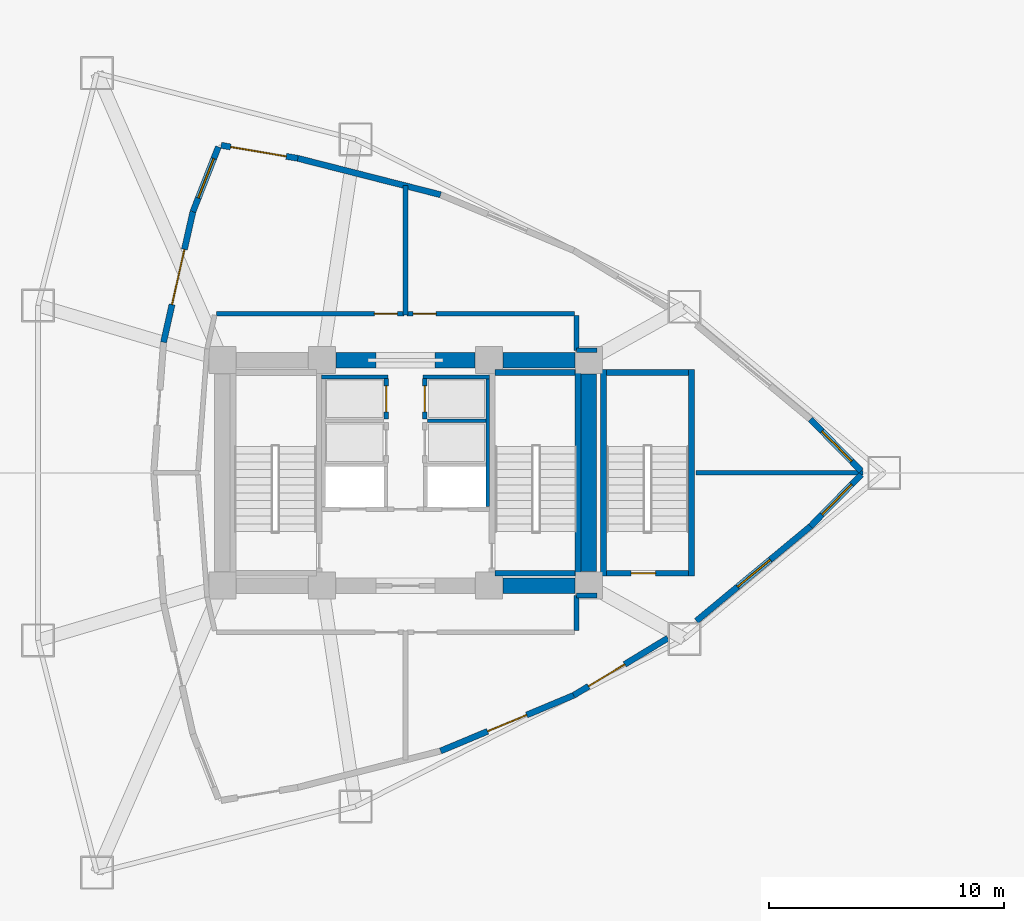
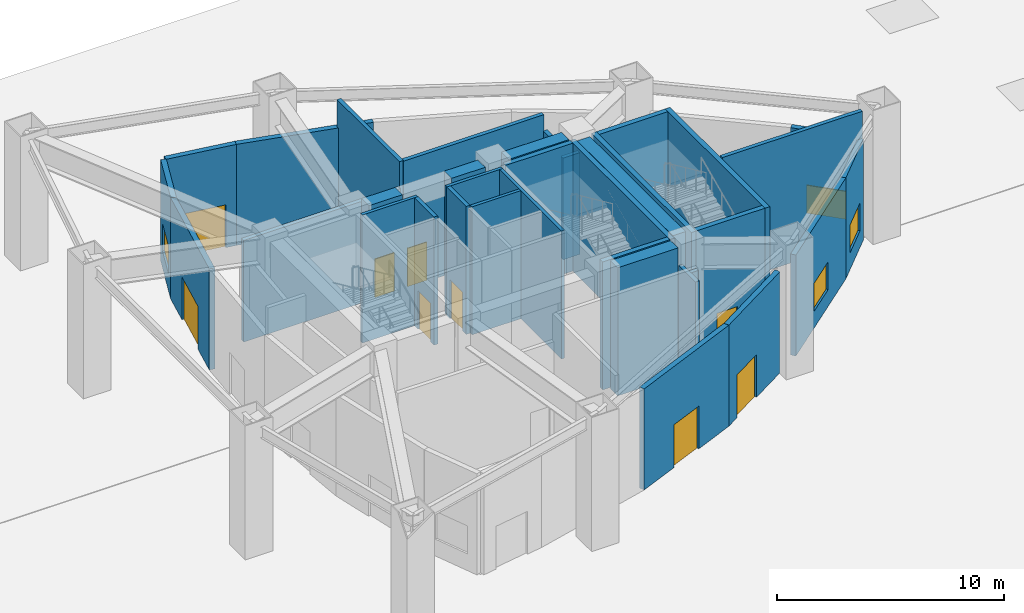
# One storey, part 3 of 7: 35 walls, 9 doors, 4 windows, 13 openings.
"""IFC4 building model written with IfcOpenShell, lengths in metres."""

from ifc_helpers import new_model, si_unit, direction, frame, frame_2d, origin, place, context, subcontext, project, spatial, rectangle, extrude, material, layer, layer_set, type_object, element, fill, save


model = new_model("IFC4")

# Units and contexts
model_context = context("Model", 3, precision=1e-05, world=origin(), true_north=direction((0.0, 1.0)))
body_context = subcontext(model_context, "Body", "Model", "MODEL_VIEW")
ifc_project = project(units=[si_unit("LENGTHUNIT", "METRE"), si_unit("AREAUNIT", "SQUARE_METRE"), si_unit("VOLUMEUNIT", "CUBIC_METRE"), si_unit("PLANEANGLEUNIT", "RADIAN"), si_unit("MASSUNIT", "GRAM", prefix="KILO")], contexts=[model_context])

# Site, building, storey
site_placement = place(None, origin())
site = spatial("IfcSite", under=ifc_project, at=site_placement, CompositionType="ELEMENT")
building_placement = place(site_placement, origin())
building = spatial("IfcBuilding", under=site, at=building_placement, Name="Menara Vayukalpa", CompositionType="ELEMENT")
storey_placement = place(building_placement, origin())
storey = spatial("IfcBuildingStorey", under=building, at=storey_placement, Name="L00", CompositionType="ELEMENT", Elevation=0.0)

# Walls
ifc_material_1 = material(Name="Concrete C80/95", Category="concrete")
ifc_layer_1 = layer(ifc_material_1, 0.64990234375)
ifc_layer_set_1 = layer_set([ifc_layer_1], Name="Concrete C80/95")
wall_type_1 = type_object("IfcWallType", Name="WAL-CW650", PredefinedType="SHEAR", material=ifc_layer_set_1)
wall_1_placement = place(storey_placement, frame((29.7451171875, 17.199951171875, 0.0), z_axis=(0.0, 0.0, 1.0), x_axis=(1.0, 0.0, 0.0)))
element("IfcWall", 1, at=wall_1_placement, inside=storey, type_object=wall_type_1, Name="L00 Buttressed Core Shear Wall CWS4", PredefinedType="SHEAR", context=body_context, shape_type="SweptSolid", body=[
    extrude(rectangle(XDim=3.059814453125, YDim=0.64990234375, at=frame_2d((1.52978515625, 0.0))), origin(), (0.0, 0.0, 1.0), 6.8798828125),
])
wall_2_placement = place(storey_placement, frame((22.64501953125, 26.800048828125, 0.0), z_axis=(0.0, 0.0, 1.0), x_axis=(1.0, 0.0, 0.0)))
element("IfcWall", 2, at=wall_2_placement, inside=storey, type_object=wall_type_1, Name="L00 Buttressed Core Shear Wall CWN2", PredefinedType="SHEAR", context=body_context, shape_type="SweptSolid", body=[
    extrude(rectangle(XDim=1.705078125, YDim=0.64990234375, at=frame_2d((0.8525390625, 0.0))), origin(), (0.0, 0.0, 1.0), 6.8798828125),
])
wall_3_placement = place(storey_placement, frame((26.85009765625, 26.800048828125, 0.0), z_axis=(0.0, 0.0, 1.0), x_axis=(1.0, 0.0, 0.0)))
element("IfcWall", 3, at=wall_3_placement, inside=storey, type_object=wall_type_1, Name="L00 Buttressed Core Shear Wall CWN3", PredefinedType="SHEAR", context=body_context, shape_type="SweptSolid", body=[
    extrude(rectangle(XDim=1.704833984375, YDim=0.64990234375, at=frame_2d((0.8525390625, 0.0))), origin(), (0.0, 0.0, 1.0), 6.8798828125),
])
wall_4_placement = place(storey_placement, frame((29.7451171875, 26.800048828125, 0.0), z_axis=(0.0, 0.0, 1.0), x_axis=(1.0, 0.0, 0.0)))
element("IfcWall", 4, at=wall_4_placement, inside=storey, type_object=wall_type_1, Name="L00 Buttressed Core Shear Wall CWN4", PredefinedType="SHEAR", context=body_context, shape_type="SweptSolid", body=[
    extrude(rectangle(XDim=3.059814453125, YDim=0.64990234375, at=frame_2d((1.52978515625, 0.0))), origin(), (0.0, 0.0, 1.0), 6.8798828125),
])
wall_5_placement = place(storey_placement, frame((33.39990234375, 17.794921875, 0.0), z_axis=(0.0, 0.0, 1.0), x_axis=(0.0, 1.0, 0.0)))
element("IfcWall", 5, at=wall_5_placement, inside=storey, type_object=wall_type_1, Name="L00 Buttressed Core Shear Wall CWE1", PredefinedType="SHEAR", context=body_context, shape_type="SweptSolid", body=[
    extrude(rectangle(XDim=8.41015625, YDim=0.64990234375, at=frame_2d((4.205078125, 0.0))), origin(), (0.0, 0.0, 1.0), 6.8798828125),
])

# Wall, opening, door
ifc_material_2 = material(Name="Insulated Precast Concrete C40/50", Category="concrete")
ifc_layer_2 = layer(ifc_material_2, 0.260009765625)
ifc_layer_set_2 = layer_set([ifc_layer_2], Name="Insulated Precast Concrete C40/50")
wall_type_2 = type_object("IfcWallType", Name="WAL-EXT260", PredefinedType="PARTITIONING", material=ifc_layer_set_2)
wall_6_placement = place(storey_placement, frame((36.76708984375, 14.964599609375, 0.0), z_axis=(0.0, 0.0, 1.0), x_axis=(-0.854658781081, -0.519190107688, 0.0)))
wall_6 = element("IfcWall", 6, at=wall_6_placement, inside=storey, type_object=wall_type_2, Name="L00 Concourse Storefront Wall 01", PredefinedType="PARTITIONING", context=body_context, shape_type="SweptSolid", body=[
    extrude(rectangle(XDim=4.688232421875, YDim=0.260009765625, at=frame_2d((2.34423828125, 0.0))), origin(), (0.0, 0.0, 1.0), 5.429931640625),
])
opening_1_placement = place(wall_6_placement, frame((2.14990234375, 0.0, 0.0)))
opening_1 = element("IfcOpeningElement", 7, at=opening_1_placement, cuts=wall_6, Name="Opening ED1", PredefinedType="OPENING", context=body_context, shape_type="SweptSolid", body=[
    extrude(rectangle(XDim=1.800048828125, YDim=2.300048828125, at=frame_2d((0.89990234375, 1.14990234375))), frame((0.0, 0.139892578125, 0.0), z_axis=(0.0, -1.0, 0.0), x_axis=(1.0, 0.0, 0.0)), (0.0, 0.0, 1.0), 0.280029296875),
])
ifc_material_3 = material(Name="Stainless Steel 316 Glazed Entrance Door", Category="steel")
door_type_1 = type_object("IfcDoorType", Name="DR-EX180", OperationType="NOTDEFINED", PredefinedType="DOOR", material=ifc_material_3)
door_1_placement = place(opening_1_placement, origin())
door_1 = element("IfcDoor", 8, at=door_1_placement, inside=storey, type_object=door_type_1, Name="Ground Final Exit Door ED-01", OperationType="DOUBLE_DOOR_SINGLE_SWING", OverallHeight=2.300048828125, OverallWidth=1.800048828125, PredefinedType="DOOR", context=body_context, shape_type="SweptSolid", body=[
    extrude(rectangle(XDim=1.800048828125, YDim=2.300048828125, at=frame_2d((0.89990234375, 1.14990234375))), frame((0.0, 0.02490234375, 0.0), z_axis=(0.0, -1.0, 0.0), x_axis=(1.0, 0.0, 0.0)), (0.0, 0.0, 1.0), 0.050048828125),
])
fill(opening_1, door_1)

wall_7_placement = place(storey_placement, frame((32.76025390625, 12.530517578125, 0.0), z_axis=(0.0, 0.0, 1.0), x_axis=(-0.922544641811, -0.385890378042, 0.0)))
wall_7 = element("IfcWall", 9, at=wall_7_placement, inside=storey, type_object=wall_type_2, Name="L00 Concourse Storefront Wall 02", PredefinedType="PARTITIONING", context=body_context, shape_type="SweptSolid", body=[
    extrude(rectangle(XDim=6.143798828125, YDim=0.260009765625, at=frame_2d((3.07177734375, 0.0))), origin(), (0.0, 0.0, 1.0), 5.429931640625),
])
opening_2_placement = place(wall_7_placement, frame((2.171875, 0.0, 0.0)))
opening_2 = element("IfcOpeningElement", 10, at=opening_2_placement, cuts=wall_7, Name="Opening ED1", PredefinedType="OPENING", context=body_context, shape_type="SweptSolid", body=[
    extrude(rectangle(XDim=1.800048828125, YDim=2.300048828125, at=frame_2d((0.89990234375, 1.14990234375))), frame((0.0, 0.139892578125, 0.0), z_axis=(0.0, -1.0, 0.0), x_axis=(1.0, 0.0, 0.0)), (0.0, 0.0, 1.0), 0.280029296875),
])
door_2_placement = place(opening_2_placement, origin())
door_2 = element("IfcDoor", 11, at=door_2_placement, inside=storey, type_object=door_type_1, Name="Ground Final Exit Door ED-02", OperationType="DOUBLE_DOOR_SINGLE_SWING", OverallHeight=2.300048828125, OverallWidth=1.800048828125, PredefinedType="DOOR", context=body_context, shape_type="SweptSolid", body=[
    extrude(rectangle(XDim=1.800048828125, YDim=2.300048828125, at=frame_2d((0.89990234375, 1.14990234375))), frame((0.0, 0.02490234375, 0.0), z_axis=(0.0, -1.0, 0.0), x_axis=(1.0, 0.0, 0.0)), (0.0, 0.0, 1.0), 0.050048828125),
])
fill(opening_2, door_2)

wall_8_placement = place(storey_placement, frame((15.296630859375, 27.560546875, 0.0), z_axis=(0.0, 0.0, 1.0), x_axis=(0.219487732338, 0.975615259902, 0.0)))
wall_8 = element("IfcWall", 12, at=wall_8_placement, inside=storey, type_object=wall_type_2, Name="L00 Concourse Storefront Wall 09", PredefinedType="PARTITIONING", context=body_context, shape_type="SweptSolid", body=[
    extrude(rectangle(XDim=5.699462890625, YDim=0.260009765625, at=frame_2d((2.849609375, 0.0))), origin(), (0.0, 0.0, 1.0), 5.429931640625),
])
opening_3_placement = place(wall_8_placement, frame((1.64990234375, 0.0, 0.0)))
opening_3 = element("IfcOpeningElement", 13, at=opening_3_placement, cuts=wall_8, Name="Opening GT1", PredefinedType="OPENING", context=body_context, shape_type="SweptSolid", body=[
    extrude(rectangle(XDim=2.39990234375, YDim=2.300048828125, at=frame_2d((1.199951171875, 1.14990234375))), frame((0.0, 0.139892578125, 0.0), z_axis=(0.0, -1.0, 0.0), x_axis=(1.0, 0.0, 0.0)), (0.0, 0.0, 1.0), 0.280029296875),
])
ifc_material_4 = material(Name="Galvanised Steel Service Access Gate", Category="steel")
door_type_2 = type_object("IfcDoorType", Name="DR-GT240", OperationType="NOTDEFINED", PredefinedType="GATE", material=ifc_material_4)
door_3_placement = place(opening_3_placement, origin())
door_3 = element("IfcDoor", 14, at=door_3_placement, inside=storey, type_object=door_type_2, Name="Plant Service Access Gate GT-01", OperationType="DOUBLE_DOOR_SINGLE_SWING", OverallHeight=2.300048828125, OverallWidth=2.39990234375, PredefinedType="GATE", context=body_context, shape_type="SweptSolid", body=[
    extrude(rectangle(XDim=2.39990234375, YDim=2.300048828125, at=frame_2d((1.199951171875, 1.14990234375))), frame((0.0, 0.02490234375, 0.0), z_axis=(0.0, -1.0, 0.0), x_axis=(1.0, 0.0, 0.0)), (0.0, 0.0, 1.0), 0.050048828125),
])
fill(opening_3, door_3)

# Wall, opening, window
wall_9_placement = place(storey_placement, frame((16.547607421875, 33.12109375, 0.0), z_axis=(0.0, 0.0, 1.0), x_axis=(0.36552999723, 0.930799560123, 0.0)))
wall_9 = element("IfcWall", 15, at=wall_9_placement, inside=storey, type_object=wall_type_2, Name="L00 Concourse Storefront Wall 10", PredefinedType="PARTITIONING", context=body_context, shape_type="SweptSolid", body=[
    extrude(rectangle(XDim=2.962890625, YDim=0.260009765625, at=frame_2d((1.4814453125, 0.0))), origin(), (0.0, 0.0, 1.0), 5.429931640625),
])
opening_4_placement = place(wall_9_placement, frame((0.625, 0.0, 0.89990234375)))
opening_4 = element("IfcOpeningElement", 16, at=opening_4_placement, cuts=wall_9, Name="Opening WN1", PredefinedType="OPENING", context=body_context, shape_type="SweptSolid", body=[
    extrude(rectangle(XDim=1.800048828125, YDim=1.5, at=frame_2d((0.89990234375, 0.75))), frame((0.0, 0.139892578125, 0.0), z_axis=(0.0, -1.0, 0.0), x_axis=(1.0, 0.0, 0.0)), (0.0, 0.0, 1.0), 0.280029296875),
])
ifc_material_5 = material(Name="Thermally Broken Aluminium and Low-E Glass", Category="aluminium")
window_type = type_object("IfcWindowType", Name="WIN-W180", PartitioningType="SINGLE_PANEL", PredefinedType="WINDOW", material=ifc_material_5)
window_1_placement = place(opening_4_placement, origin())
window_1 = element("IfcWindow", 17, at=window_1_placement, inside=storey, type_object=window_type, Name="L00 Concourse Vision Window WN-02", OverallHeight=1.5, OverallWidth=1.800048828125, PartitioningType="SINGLE_PANEL", PredefinedType="WINDOW", context=body_context, shape_type="SweptSolid", body=[
    extrude(rectangle(XDim=1.800048828125, YDim=1.5, at=frame_2d((0.89990234375, 0.75))), frame((0.0, 0.030029296875, 0.0), z_axis=(0.0, -1.0, 0.0), x_axis=(1.0, 0.0, 0.0)), (0.0, 0.0, 1.0), 0.06005859375),
])
fill(opening_4, window_1)

# Wall, opening, door
wall_10_placement = place(storey_placement, frame((17.748779296875, 35.945556640625, 0.0), z_axis=(0.0, 0.0, 1.0), x_axis=(0.985893222855, -0.167375485445, 0.0)))
wall_10 = element("IfcWall", 18, at=wall_10_placement, inside=storey, type_object=wall_type_2, Name="L00 Concourse Storefront Wall 11", PredefinedType="PARTITIONING", context=body_context, shape_type="SweptSolid", body=[
    extrude(rectangle(XDim=3.31103515625, YDim=0.260009765625, at=frame_2d((1.655517578125, 0.0))), origin(), (0.0, 0.0, 1.0), 5.429931640625),
])
opening_5_placement = place(wall_10_placement, frame((0.408935546875, 0.0, 0.0)))
opening_5 = element("IfcOpeningElement", 19, at=opening_5_placement, cuts=wall_10, Name="Opening GT1", PredefinedType="OPENING", context=body_context, shape_type="SweptSolid", body=[
    extrude(rectangle(XDim=2.39990234375, YDim=2.300048828125, at=frame_2d((1.199951171875, 1.14990234375))), frame((0.0, 0.139892578125, 0.0), z_axis=(0.0, -1.0, 0.0), x_axis=(1.0, 0.0, 0.0)), (0.0, 0.0, 1.0), 0.280029296875),
])
door_4_placement = place(opening_5_placement, origin())
door_4 = element("IfcDoor", 20, at=door_4_placement, inside=storey, type_object=door_type_2, Name="Plant Service Access Gate GT-02", OperationType="DOUBLE_DOOR_SINGLE_SWING", OverallHeight=2.300048828125, OverallWidth=2.39990234375, PredefinedType="GATE", context=body_context, shape_type="SweptSolid", body=[
    extrude(rectangle(XDim=2.39990234375, YDim=2.300048828125, at=frame_2d((1.199951171875, 1.14990234375))), frame((0.0, 0.02490234375, 0.0), z_axis=(0.0, -1.0, 0.0), x_axis=(1.0, 0.0, 0.0)), (0.0, 0.0, 1.0), 0.050048828125),
])
fill(opening_5, door_4)

# Wall
wall_11_placement = place(storey_placement, frame((21.001708984375, 35.393798828125, 0.0), z_axis=(0.0, 0.0, 1.0), x_axis=(0.968977702302, -0.247148158887, 0.0)))
element("IfcWall", 21, at=wall_11_placement, inside=storey, type_object=wall_type_2, Name="L00 Concourse Storefront Wall 12", PredefinedType="PARTITIONING", context=body_context, shape_type="SweptSolid", body=[
    extrude(rectangle(XDim=6.28564453125, YDim=0.260009765625, at=frame_2d((3.142822265625, 0.0))), origin(), (0.0, 0.0, 1.0), 5.429931640625),
])

# Wall, opening, window
wall_12_placement = place(storey_placement, frame((42.8408203125, 24.275390625, 0.0), z_axis=(0.0, 0.0, 1.0), x_axis=(0.700581279712, -0.713572610543, 0.0)))
wall_12 = element("IfcWall", 22, at=wall_12_placement, inside=storey, type_object=wall_type_2, Name="L00 Concourse Storefront Wall 16", PredefinedType="PARTITIONING", context=body_context, shape_type="SweptSolid", body=[
    extrude(rectangle(XDim=3.08203125, YDim=0.260009765625, at=frame_2d((1.541015625, 0.0))), origin(), (0.0, 0.0, 1.0), 5.429931640625),
])
opening_6_placement = place(wall_12_placement, frame((0.697509765625, 0.0, 0.89990234375)))
opening_6 = element("IfcOpeningElement", 23, at=opening_6_placement, cuts=wall_12, Name="Opening WN1", PredefinedType="OPENING", context=body_context, shape_type="SweptSolid", body=[
    extrude(rectangle(XDim=1.800048828125, YDim=1.5, at=frame_2d((0.89990234375, 0.75))), frame((0.0, 0.139892578125, 0.0), z_axis=(0.0, -1.0, 0.0), x_axis=(1.0, 0.0, 0.0)), (0.0, 0.0, 1.0), 0.280029296875),
])
window_2_placement = place(opening_6_placement, origin())
window_2 = element("IfcWindow", 24, at=window_2_placement, inside=storey, type_object=window_type, Name="L00 Concourse Vision Window WN-06", OverallHeight=1.5, OverallWidth=1.800048828125, PartitioningType="SINGLE_PANEL", PredefinedType="WINDOW", context=body_context, shape_type="SweptSolid", body=[
    extrude(rectangle(XDim=1.800048828125, YDim=1.5, at=frame_2d((0.89990234375, 0.75))), frame((0.0, 0.030029296875, 0.0), z_axis=(0.0, -1.0, 0.0), x_axis=(1.0, 0.0, 0.0)), (0.0, 0.0, 1.0), 0.06005859375),
])
fill(opening_6, window_2)

wall_13_placement = place(storey_placement, frame((45.0, 21.923828125, 0.0), z_axis=(0.0, 0.0, 1.0), x_axis=(-0.700581279712, -0.713572610543, 0.0)))
wall_13 = element("IfcWall", 25, at=wall_13_placement, inside=storey, type_object=wall_type_2, Name="L00 Concourse Storefront Wall 17", PredefinedType="PARTITIONING", context=body_context, shape_type="SweptSolid", body=[
    extrude(rectangle(XDim=3.08203125, YDim=0.260009765625, at=frame_2d((1.541015625, 0.0))), origin(), (0.0, 0.0, 1.0), 5.429931640625),
])
opening_7_placement = place(wall_13_placement, frame((0.584716796875, 0.0, 0.89990234375)))
opening_7 = element("IfcOpeningElement", 26, at=opening_7_placement, cuts=wall_13, Name="Opening WN1", PredefinedType="OPENING", context=body_context, shape_type="SweptSolid", body=[
    extrude(rectangle(XDim=1.800048828125, YDim=1.5, at=frame_2d((0.89990234375, 0.75))), frame((0.0, 0.139892578125, 0.0), z_axis=(0.0, -1.0, 0.0), x_axis=(1.0, 0.0, 0.0)), (0.0, 0.0, 1.0), 0.280029296875),
])
window_3_placement = place(opening_7_placement, origin())
window_3 = element("IfcWindow", 27, at=window_3_placement, inside=storey, type_object=window_type, Name="L00 Concourse Vision Window WN-07", OverallHeight=1.5, OverallWidth=1.800048828125, PartitioningType="SINGLE_PANEL", PredefinedType="WINDOW", context=body_context, shape_type="SweptSolid", body=[
    extrude(rectangle(XDim=1.800048828125, YDim=1.5, at=frame_2d((0.89990234375, 0.75))), frame((0.0, 0.030029296875, 0.0), z_axis=(0.0, -1.0, 0.0), x_axis=(1.0, 0.0, 0.0)), (0.0, 0.0, 1.0), 0.06005859375),
])
fill(opening_7, window_3)

wall_14_placement = place(storey_placement, frame((42.849609375, 19.732666015625, 0.0), z_axis=(0.0, 0.0, 1.0), x_axis=(-0.769753796379, -0.638340890873, 0.0)))
wall_14 = element("IfcWall", 28, at=wall_14_placement, inside=storey, type_object=wall_type_2, Name="L00 Concourse Storefront Wall 18", PredefinedType="PARTITIONING", context=body_context, shape_type="SweptSolid", body=[
    extrude(rectangle(XDim=6.323974609375, YDim=0.260009765625, at=frame_2d((3.162109375, 0.0))), origin(), (0.0, 0.0, 1.0), 5.429931640625),
])
opening_8_placement = place(wall_14_placement, frame((2.245849609375, 0.0, 0.89990234375)))
opening_8 = element("IfcOpeningElement", 29, at=opening_8_placement, cuts=wall_14, Name="Opening WN1", PredefinedType="OPENING", context=body_context, shape_type="SweptSolid", body=[
    extrude(rectangle(XDim=1.800048828125, YDim=1.5, at=frame_2d((0.89990234375, 0.75))), frame((0.0, 0.139892578125, 0.0), z_axis=(0.0, -1.0, 0.0), x_axis=(1.0, 0.0, 0.0)), (0.0, 0.0, 1.0), 0.280029296875),
])
window_4_placement = place(opening_8_placement, origin())
window_4 = element("IfcWindow", 30, at=window_4_placement, inside=storey, type_object=window_type, Name="L00 Concourse Vision Window WN-08", OverallHeight=1.5, OverallWidth=1.800048828125, PartitioningType="SINGLE_PANEL", PredefinedType="WINDOW", context=body_context, shape_type="SweptSolid", body=[
    extrude(rectangle(XDim=1.800048828125, YDim=1.5, at=frame_2d((0.89990234375, 0.75))), frame((0.0, 0.030029296875, 0.0), z_axis=(0.0, -1.0, 0.0), x_axis=(1.0, 0.0, 0.0)), (0.0, 0.0, 1.0), 0.06005859375),
])
fill(opening_8, window_4)

# Walls
ifc_material_6 = material(Name="Lightweight Concrete Blockwork C16/20", Category="masonry")
ifc_layer_3 = layer(ifc_material_6, 0.159912109375)
ifc_layer_set_3 = layer_set([ifc_layer_3], Name="Lightweight Concrete Blockwork C16/20")
wall_type_3 = type_object("IfcWallType", Name="WAL-FR150", PredefinedType="PARTITIONING", material=ifc_layer_set_3)
wall_15_placement = place(storey_placement, frame((22.030029296875, 26.0849609375, 0.0), z_axis=(0.0, 0.0, 1.0), x_axis=(1.0, 0.0, 0.0)))
element("IfcWall", 31, at=wall_15_placement, inside=storey, type_object=wall_type_3, Name="L00 Interior Partition IW-L00-SHM-W3N", PredefinedType="PARTITIONING", context=body_context, shape_type="SweptSolid", body=[
    extrude(rectangle(XDim=2.830078125, YDim=0.159912109375, at=frame_2d((1.4150390625, 0.0))), origin(), (0.0, 0.0, 1.0), 6.8798828125),
])
wall_16_placement = place(storey_placement, frame((29.094970703125, 20.56005859375, 0.0), z_axis=(0.0, 0.0, 1.0), x_axis=(0.0, 1.0, 0.0)))
element("IfcWall", 32, at=wall_16_placement, inside=storey, type_object=wall_type_3, Name="L00 Interior Partition IW-L00-SHW-EE", PredefinedType="PARTITIONING", context=body_context, shape_type="SweptSolid", body=[
    extrude(rectangle(XDim=5.449951171875, YDim=0.159912109375, at=frame_2d((2.72509765625, 0.0))), origin(), (0.0, 0.0, 1.0), 6.8798828125),
])
wall_17_placement = place(storey_placement, frame((26.530029296875, 24.215087890625, 0.0), z_axis=(0.0, 0.0, 1.0), x_axis=(1.0, 0.0, 0.0)))
element("IfcWall", 33, at=wall_17_placement, inside=storey, type_object=wall_type_3, Name="L00 Interior Partition IW-L00-SHM-E32", PredefinedType="PARTITIONING", context=body_context, shape_type="SweptSolid", body=[
    extrude(rectangle(XDim=2.489990234375, YDim=0.159912109375, at=frame_2d((1.2451171875, 0.0))), origin(), (0.0, 0.0, 1.0), 6.8798828125),
])
wall_18_placement = place(storey_placement, frame((26.340087890625, 26.0849609375, 0.0), z_axis=(0.0, 0.0, 1.0), x_axis=(1.0, 0.0, 0.0)))
element("IfcWall", 34, at=wall_18_placement, inside=storey, type_object=wall_type_3, Name="L00 Interior Partition IW-L00-SHM-E2N", PredefinedType="PARTITIONING", context=body_context, shape_type="SweptSolid", body=[
    extrude(rectangle(XDim=2.829833984375, YDim=0.159912109375, at=frame_2d((1.4150390625, 0.0))), origin(), (0.0, 0.0, 1.0), 6.8798828125),
])

# Wall, opening, door
ifc_material_7 = material(Name="Lightweight Concrete Blockwork C16/20", Category="masonry")
ifc_layer_4 = layer(ifc_material_7, 0.199951171875)
ifc_layer_set_4 = layer_set([ifc_layer_4], Name="Lightweight Concrete Blockwork C16/20")
wall_type_4 = type_object("IfcWallType", Name="WAL-FR200", PredefinedType="PARTITIONING", material=ifc_layer_set_4)
wall_19_placement = place(storey_placement, frame((24.780029296875, 24.2900390625, 0.0), z_axis=(0.0, 0.0, 1.0), x_axis=(0.0, 1.0, 0.0)))
wall_19 = element("IfcWall", 35, at=wall_19_placement, inside=storey, type_object=wall_type_4, Name="L00 Interior Partition IW-L00-SH-W3", PredefinedType="PARTITIONING", context=body_context, shape_type="SweptSolid", body=[
    extrude(rectangle(XDim=1.719970703125, YDim=0.199951171875, at=frame_2d((0.85986328125, 0.0))), origin(), (0.0, 0.0, 1.0), 6.8798828125),
])
opening_9_placement = place(wall_19_placement, frame((0.31005859375, 0.0, 0.0)))
opening_9 = element("IfcOpeningElement", 36, at=opening_9_placement, cuts=wall_19, Name="Opening LD1", PredefinedType="OPENING", context=body_context, shape_type="SweptSolid", body=[
    extrude(rectangle(XDim=1.10009765625, YDim=2.080078125, at=frame_2d((0.550048828125, 1.0400390625))), frame((0.0, 0.10986328125, 0.0), z_axis=(0.0, -1.0, 0.0), x_axis=(1.0, 0.0, 0.0)), (0.0, 0.0, 1.0), 0.219970703125),
])
ifc_material_8 = material(Name="Brushed Stainless Steel 316 Lift Door", Category="steel")
door_type_3 = type_object("IfcDoorType", Name="DR-LD110", OperationType="NOTDEFINED", PredefinedType="DOOR", material=ifc_material_8)
door_5_placement = place(opening_9_placement, origin())
door_5 = element("IfcDoor", 37, at=door_5_placement, inside=storey, type_object=door_type_3, Name="L00 Interior Door DR-L00-LD-W3", OperationType="DOUBLE_DOOR_SLIDING", OverallHeight=2.080078125, OverallWidth=1.10009765625, PredefinedType="DOOR", context=body_context, shape_type="SweptSolid", body=[
    extrude(rectangle(XDim=1.10009765625, YDim=2.080078125, at=frame_2d((0.550048828125, 1.0400390625))), frame((0.0, 0.02490234375, 0.0), z_axis=(0.0, -1.0, 0.0), x_axis=(1.0, 0.0, 0.0)), (0.0, 0.0, 1.0), 0.050048828125),
])
fill(opening_9, door_5)

wall_20_placement = place(storey_placement, frame((26.419921875, 24.2900390625, 0.0), z_axis=(0.0, 0.0, 1.0), x_axis=(0.0, 1.0, 0.0)))
wall_20 = element("IfcWall", 38, at=wall_20_placement, inside=storey, type_object=wall_type_4, Name="L00 Interior Partition IW-L00-SH-E2", PredefinedType="PARTITIONING", context=body_context, shape_type="SweptSolid", body=[
    extrude(rectangle(XDim=1.719970703125, YDim=0.199951171875, at=frame_2d((0.85986328125, 0.0))), origin(), (0.0, 0.0, 1.0), 6.8798828125),
])
opening_10_placement = place(wall_20_placement, frame((0.31005859375, 0.0, 0.0)))
opening_10 = element("IfcOpeningElement", 39, at=opening_10_placement, cuts=wall_20, Name="Opening LD1", PredefinedType="OPENING", context=body_context, shape_type="SweptSolid", body=[
    extrude(rectangle(XDim=1.10009765625, YDim=2.080078125, at=frame_2d((0.550048828125, 1.0400390625))), frame((0.0, 0.10986328125, 0.0), z_axis=(0.0, -1.0, 0.0), x_axis=(1.0, 0.0, 0.0)), (0.0, 0.0, 1.0), 0.219970703125),
])
door_6_placement = place(opening_10_placement, origin())
door_6 = element("IfcDoor", 40, at=door_6_placement, inside=storey, type_object=door_type_3, Name="L00 Interior Door DR-L00-LD-E2", OperationType="DOUBLE_DOOR_SLIDING", OverallHeight=2.080078125, OverallWidth=1.10009765625, PredefinedType="DOOR", context=body_context, shape_type="SweptSolid", body=[
    extrude(rectangle(XDim=1.10009765625, YDim=2.080078125, at=frame_2d((0.550048828125, 1.0400390625))), frame((0.0, 0.02490234375, 0.0), z_axis=(0.0, -1.0, 0.0), x_axis=(1.0, 0.0, 0.0)), (0.0, 0.0, 1.0), 0.050048828125),
])
fill(opening_10, door_6)

# Walls
wall_21_placement = place(storey_placement, frame((32.8798828125, 15.300048828125, 0.0), z_axis=(0.0, 0.0, 1.0), x_axis=(0.0, 1.0, 0.0)))
element("IfcWall", 41, at=wall_21_placement, inside=storey, type_object=wall_type_4, Name="L00 Interior Partition IW-L00-CRM02-2", PredefinedType="PARTITIONING", context=body_context, shape_type="SweptSolid", body=[
    extrude(rectangle(XDim=1.47998046875, YDim=0.199951171875, at=frame_2d((0.739990234375, 0.0))), origin(), (0.0, 0.0, 1.0), 6.010009765625),
])
for number, where, z_axis, x_axis, name in (
    (42, (32.8798828125, 16.780029296875, 0.0), (0.0, 0.0, 1.0), (1.0, 0.0, 0.0), "L00 Interior Partition IW-L00-CRM02-3"),
    (43, (33.739990234375, 27.219970703125, 0.0), (0.0, 0.0, 1.0), (-1.0, 0.0, 0.0), "L00 Interior Partition IW-L00-CRM03-1"),
):
    element("IfcWall", number, at=place(storey_placement, frame(where, z_axis=z_axis, x_axis=x_axis)), inside=storey, type_object=wall_type_4, Name=name, PredefinedType="PARTITIONING", context=body_context, shape_type="SweptSolid", body=[
        extrude(rectangle(XDim=0.860107421875, YDim=0.199951171875, at=frame_2d((0.43017578125, 0.0))), origin(), (0.0, 0.0, 1.0), 5.4599609375),
    ])
wall_22_placement = place(storey_placement, frame((32.8798828125, 27.219970703125, 0.0), z_axis=(0.0, 0.0, 1.0), x_axis=(0.0, 1.0, 0.0)))
element("IfcWall", 44, at=wall_22_placement, inside=storey, type_object=wall_type_4, Name="L00 Interior Partition IW-L00-CRM03-2", PredefinedType="PARTITIONING", context=body_context, shape_type="SweptSolid", body=[
    extrude(rectangle(XDim=1.47998046875, YDim=0.199951171875, at=frame_2d((0.739990234375, 0.0))), origin(), (0.0, 0.0, 1.0), 6.010009765625),
])

# Wall, opening, door
wall_23_placement = place(storey_placement, frame((32.800048828125, 28.780029296875, 0.0), z_axis=(0.0, 0.0, 1.0), x_axis=(-1.0, 0.0, 0.0)))
wall_23 = element("IfcWall", 45, at=wall_23_placement, inside=storey, type_object=wall_type_4, Name="L00 Interior Partition IW-L00-CRM03-3", PredefinedType="PARTITIONING", context=body_context, shape_type="SweptSolid", body=[
    extrude(rectangle(XDim=7.130126953125, YDim=0.199951171875, at=frame_2d((3.56494140625, 0.0))), origin(), (0.0, 0.0, 1.0), 6.8798828125),
])
opening_11_placement = place(wall_23_placement, frame((5.89990234375, 0.0, 0.0)))
opening_11 = element("IfcOpeningElement", 46, at=opening_11_placement, cuts=wall_23, Name="Opening ID3", PredefinedType="OPENING", context=body_context, shape_type="SweptSolid", body=[
    extrude(rectangle(XDim=0.97998046875, YDim=2.06005859375, at=frame_2d((0.489990234375, 1.030029296875))), frame((0.0, 0.10986328125, 0.0), z_axis=(0.0, -1.0, 0.0), x_axis=(1.0, 0.0, 0.0)), (0.0, 0.0, 1.0), 0.219970703125),
])
ifc_material_9 = material(Name="Fire-Rated Powder-Coated Steel Door", Category="steel")
door_type_4 = type_object("IfcDoorType", Name="DR-FD60", OperationType="NOTDEFINED", PredefinedType="DOOR", material=ifc_material_9)
door_7_placement = place(opening_11_placement, origin())
door_7 = element("IfcDoor", 47, at=door_7_placement, inside=storey, type_object=door_type_4, Name="L00 Interior Door DR-L00-RM03", OperationType="SINGLE_SWING_RIGHT", OverallHeight=2.06005859375, OverallWidth=0.97998046875, PredefinedType="DOOR", context=body_context, shape_type="SweptSolid", body=[
    extrude(rectangle(XDim=0.97998046875, YDim=2.06005859375, at=frame_2d((0.489990234375, 1.030029296875))), frame((0.0, 0.02490234375, 0.0), z_axis=(0.0, -1.0, 0.0), x_axis=(1.0, 0.0, 0.0)), (0.0, 0.0, 1.0), 0.050048828125),
])
fill(opening_11, door_7)

wall_24_placement = place(storey_placement, frame((25.530029296875, 28.780029296875, 0.0), z_axis=(0.0, 0.0, 1.0), x_axis=(-1.0, 0.0, 0.0)))
wall_24 = element("IfcWall", 48, at=wall_24_placement, inside=storey, type_object=wall_type_4, Name="L00 Interior Partition IW-L00-CRM04-1", PredefinedType="PARTITIONING", context=body_context, shape_type="SweptSolid", body=[
    extrude(rectangle(XDim=7.978271484375, YDim=0.199951171875, at=frame_2d((3.9892578125, 0.0))), origin(), (0.0, 0.0, 1.0), 5.4599609375),
])
opening_12_placement = place(wall_24_placement, frame((0.280029296875, 0.0, 0.0)))
opening_12 = element("IfcOpeningElement", 49, at=opening_12_placement, cuts=wall_24, Name="Opening ID3", PredefinedType="OPENING", context=body_context, shape_type="SweptSolid", body=[
    extrude(rectangle(XDim=0.97998046875, YDim=2.06005859375, at=frame_2d((0.489990234375, 1.030029296875))), frame((0.0, 0.10986328125, 0.0), z_axis=(0.0, -1.0, 0.0), x_axis=(1.0, 0.0, 0.0)), (0.0, 0.0, 1.0), 0.219970703125),
])
door_8_placement = place(opening_12_placement, origin())
door_8 = element("IfcDoor", 50, at=door_8_placement, inside=storey, type_object=door_type_4, Name="L00 Interior Door DR-L00-RM04", OperationType="SINGLE_SWING_LEFT", OverallHeight=2.06005859375, OverallWidth=0.97998046875, PredefinedType="DOOR", context=body_context, shape_type="SweptSolid", body=[
    extrude(rectangle(XDim=0.97998046875, YDim=2.06005859375, at=frame_2d((0.489990234375, 1.030029296875))), frame((0.0, 0.02490234375, 0.0), z_axis=(0.0, -1.0, 0.0), x_axis=(1.0, 0.0, 0.0)), (0.0, 0.0, 1.0), 0.050048828125),
])
fill(opening_12, door_8)

# Walls
wall_25_placement = place(storey_placement, frame((25.60009765625, 28.72998046875, 0.0), z_axis=(0.0, 0.0, 1.0), x_axis=(0.0, 1.0, 0.0)))
element("IfcWall", 51, at=wall_25_placement, inside=storey, type_object=wall_type_4, Name="L00 Interior Partition IW-L00-RDIV02", PredefinedType="PARTITIONING", context=body_context, shape_type="SweptSolid", body=[
    extrude(rectangle(XDim=5.501220703125, YDim=0.199951171875, at=frame_2d((2.75048828125, 0.0))), origin(), (0.0, 0.0, 1.0), 6.8798828125),
])
wall_26_placement = place(storey_placement, frame((37.9599609375, 22.0, 0.0), z_axis=(0.0, 0.0, 1.0), x_axis=(1.0, 0.0, 0.0)))
element("IfcWall", 52, at=wall_26_placement, inside=storey, type_object=wall_type_4, Name="L00 Interior Partition IW-L00-RDIV04", PredefinedType="PARTITIONING", context=body_context, shape_type="SweptSolid", body=[
    extrude(rectangle(XDim=7.124755859375, YDim=0.199951171875, at=frame_2d((3.5625, 0.0))), origin(), (0.0, 0.0, 1.0), 6.8798828125),
])
ifc_material_10 = material(Name="Concrete C50/60", Category="concrete")
ifc_layer_5 = layer(ifc_material_10, 0.25)
ifc_layer_set_5 = layer_set([ifc_layer_5], Name="Concrete C50/60")
wall_type_5 = type_object("IfcWallType", Name="WAL-SW250", PredefinedType="SHEAR", material=ifc_layer_set_5)
wall_27_placement = place(storey_placement, frame((32.946044921875, 17.60009765625, 0.0), z_axis=(0.0, 0.0, 1.0), x_axis=(0.0, 1.0, 0.0)))
element("IfcWall", 53, at=wall_27_placement, inside=storey, type_object=wall_type_5, Name="L00 ST2 Structural Stair Shaft Wall E", PredefinedType="SHEAR", context=body_context, shape_type="SweptSolid", body=[
    extrude(rectangle(XDim=8.7998046875, YDim=0.25, at=frame_2d((4.39990234375, 0.0))), origin(), (0.0, 0.0, 1.0), 6.8798828125),
])
for number, where, z_axis, x_axis, name in (
    (54, (29.39990234375, 17.72509765625, 0.0), (0.0, 0.0, 1.0), (1.0, 0.0, 0.0), "L00 ST2 Structural Stair Shaft Wall S"),
    (55, (29.39990234375, 26.27490234375, 0.0), (0.0, 0.0, 1.0), (1.0, 0.0, 0.0), "L00 ST2 Structural Stair Shaft Wall N"),
):
    element("IfcWall", number, at=place(storey_placement, frame(where, z_axis=z_axis, x_axis=x_axis)), inside=storey, type_object=wall_type_5, Name=name, PredefinedType="SHEAR", context=body_context, shape_type="SweptSolid", body=[
        extrude(rectangle(XDim=3.421142578125, YDim=0.25, at=frame_2d((1.71044921875, 0.0))), origin(), (0.0, 0.0, 1.0), 6.8798828125),
    ])
for number, where, z_axis, x_axis, name in (
    (56, (34.02490234375, 17.60009765625, 0.0), (0.0, 0.0, 1.0), (0.0, 1.0, 0.0), "L00 ST3 Structural Stair Shaft Wall W"),
    (57, (37.77490234375, 17.60009765625, 0.0), (0.0, 0.0, 1.0), (0.0, 1.0, 0.0), "L00 ST3 Structural Stair Shaft Wall E"),
):
    element("IfcWall", number, at=place(storey_placement, frame(where, z_axis=z_axis, x_axis=x_axis)), inside=storey, type_object=wall_type_5, Name=name, PredefinedType="SHEAR", context=body_context, shape_type="SweptSolid", body=[
        extrude(rectangle(XDim=8.7998046875, YDim=0.25, at=frame_2d((4.39990234375, 0.0))), origin(), (0.0, 0.0, 1.0), 6.8798828125),
    ])

# Wall, opening, door
wall_28_placement = place(storey_placement, frame((34.14990234375, 17.72509765625, 0.0), z_axis=(0.0, 0.0, 1.0), x_axis=(1.0, 0.0, 0.0)))
wall_28 = element("IfcWall", 58, at=wall_28_placement, inside=storey, type_object=wall_type_5, Name="L00 ST3 Structural Stair Shaft Wall S", PredefinedType="SHEAR", context=body_context, shape_type="SweptSolid", body=[
    extrude(rectangle(XDim=3.5, YDim=0.25, at=frame_2d((1.75, 0.0))), origin(), (0.0, 0.0, 1.0), 6.8798828125),
])
opening_13_placement = place(wall_28_placement, frame((1.050048828125, 0.0, 0.0)))
opening_13 = element("IfcOpeningElement", 59, at=opening_13_placement, cuts=wall_28, Name="Opening ID1", PredefinedType="OPENING", context=body_context, shape_type="SweptSolid", body=[
    extrude(rectangle(XDim=1.050048828125, YDim=2.080078125, at=frame_2d((0.52490234375, 1.0400390625))), frame((0.0, 0.135009765625, 0.0), z_axis=(0.0, -1.0, 0.0), x_axis=(1.0, 0.0, 0.0)), (0.0, 0.0, 1.0), 0.27001953125),
])
ifc_material_11 = material(Name="Fire-Rated Powder-Coated Steel Door", Category="steel")
door_type_5 = type_object("IfcDoorType", Name="DR-FD120", OperationType="NOTDEFINED", PredefinedType="DOOR", material=ifc_material_11)
door_9_placement = place(opening_13_placement, origin())
door_9 = element("IfcDoor", 60, at=door_9_placement, inside=storey, type_object=door_type_5, Name="L00 Stair Exit Door DR-L00-ST3", OperationType="SINGLE_SWING_RIGHT", OverallHeight=2.080078125, OverallWidth=1.050048828125, PredefinedType="DOOR", context=body_context, shape_type="SweptSolid", body=[
    extrude(rectangle(XDim=1.050048828125, YDim=2.080078125, at=frame_2d((0.52490234375, 1.0400390625))), frame((0.0, 0.02490234375, 0.0), z_axis=(0.0, -1.0, 0.0), x_axis=(1.0, 0.0, 0.0)), (0.0, 0.0, 1.0), 0.050048828125),
])
fill(opening_13, door_9)

# Wall
wall_29_placement = place(storey_placement, frame((34.14990234375, 26.27490234375, 0.0), z_axis=(0.0, 0.0, 1.0), x_axis=(1.0, 0.0, 0.0)))
element("IfcWall", 61, at=wall_29_placement, inside=storey, type_object=wall_type_5, Name="L00 ST3 Structural Stair Shaft Wall N", PredefinedType="SHEAR", context=body_context, shape_type="SweptSolid", body=[
    extrude(rectangle(XDim=3.5, YDim=0.25, at=frame_2d((1.75, 0.0))), origin(), (0.0, 0.0, 1.0), 6.8798828125),
])

save(model, "model.ifc")
